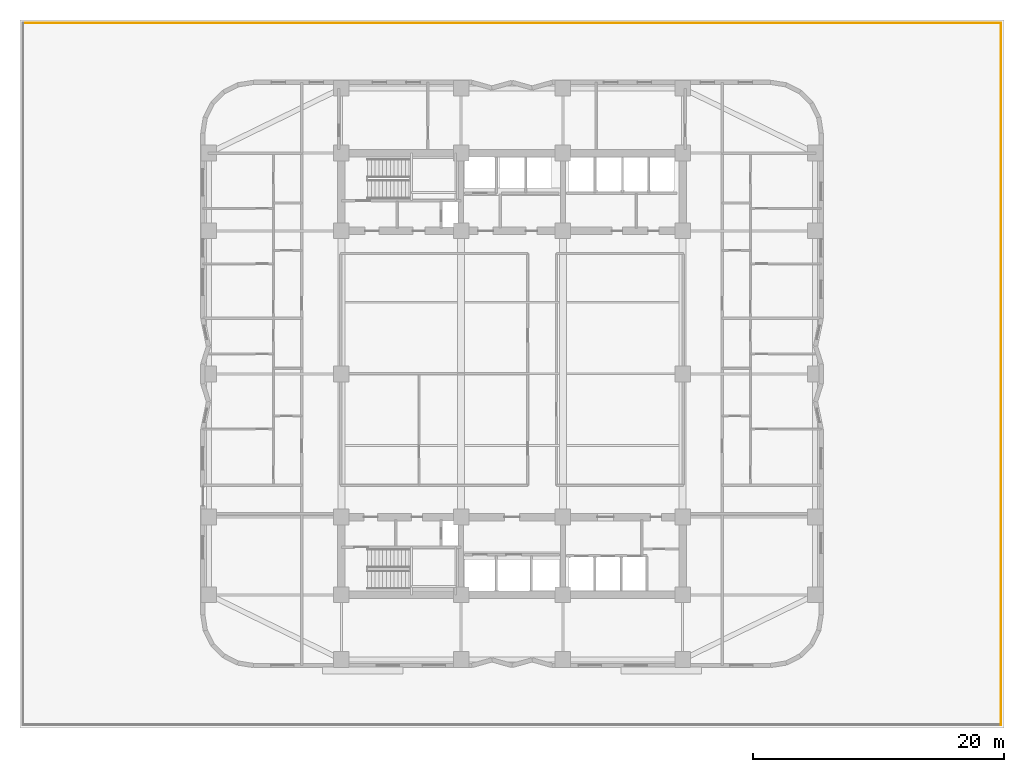
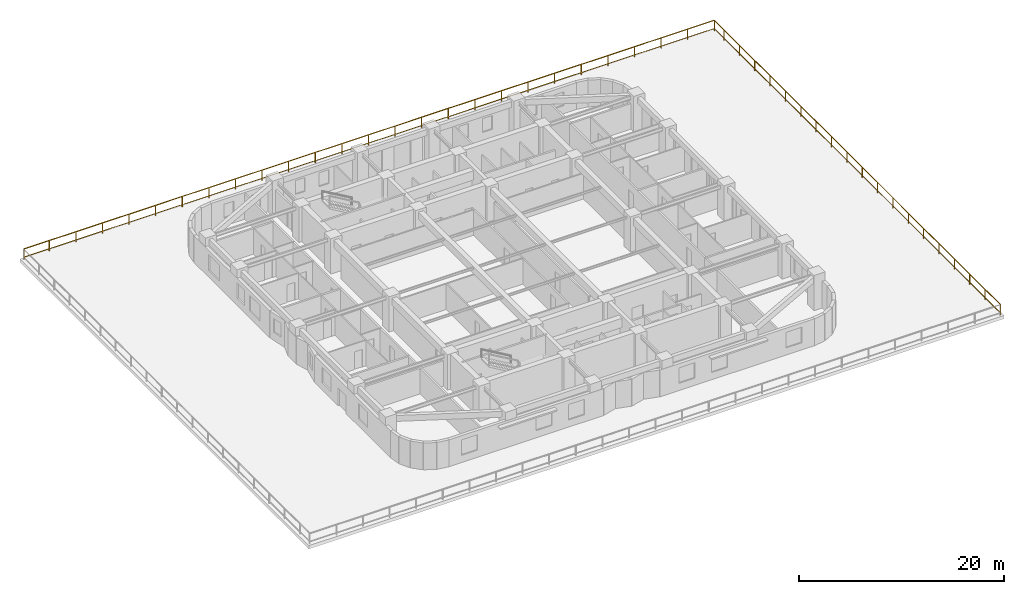
# One storey, part 11 of 11: 2 railings.
"""IFC4 building model written with IfcOpenShell, lengths in metres."""

from ifc_helpers import new_model, si_unit, direction, frame, origin, origin_2d, place, context, subcontext, project, spatial, rectangle, extrude, material, type_object, element, save


model = new_model("IFC4")

# Units and contexts
model_context = context("Model", 3, precision=1e-05, world=origin(), true_north=direction((0.0, 1.0)))
body_context = subcontext(model_context, "Body", "Model", "MODEL_VIEW")
ifc_project = project(units=[si_unit("LENGTHUNIT", "METRE"), si_unit("AREAUNIT", "SQUARE_METRE"), si_unit("VOLUMEUNIT", "CUBIC_METRE"), si_unit("PLANEANGLEUNIT", "RADIAN"), si_unit("MASSUNIT", "GRAM", prefix="KILO")], contexts=[model_context])

# Site, building, storey
site_placement = place(None, origin())
site = spatial("IfcSite", under=ifc_project, at=site_placement, CompositionType="ELEMENT")
building_placement = place(site_placement, origin())
building = spatial("IfcBuilding", under=site, at=building_placement, Name="Svetorya Sky Lyceum", CompositionType="ELEMENT")
storey_placement = place(building_placement, frame((0.0, 0.0, 24.60009765625)))
storey = spatial("IfcBuildingStorey", under=building, at=storey_placement, Name="L05", CompositionType="ELEMENT", Elevation=24.60009765625)

# Railings
ifc_material = material(Name="Bronze-anodized aluminium terrace guard", Category="aluminium")
railing_type = type_object("IfcRailingType", Name="RL-TER-1250", PredefinedType="GUARDRAIL", material=ifc_material)
railing_1_placement = place(storey_placement, frame((78.14990234375, 0.25, 0.0)))
element("IfcRailing", 1, at=railing_1_placement, inside=storey, type_object=railing_type, Name="L05 Setback Terrace Guard Quadrant 2", PredefinedType="GUARDRAIL", context=body_context, shape_type="SweptSolid", body=[
    extrude(rectangle(XDim=0.048095703125, YDim=0.048095703125, at=origin_2d()), frame((0.0, 0.0, 1.22607421875), z_axis=(0.0, 1.0, 0.0), x_axis=(-1.0, 0.0, 0.0)), (0.0, 0.0, 1.0), 55.840087890625),
    extrude(rectangle(XDim=0.02392578125, YDim=0.02392578125, at=origin_2d()), frame((0.0, 0.0, 0.25), z_axis=(0.0, 1.0, 0.0), x_axis=(-1.0, 0.0, 0.0)), (0.0, 0.0, 1.0), 55.840087890625),
    extrude(rectangle(XDim=0.0419921875, YDim=0.0419921875, at=origin_2d()), origin(), (0.0, 0.0, 1.0), 1.201904296875),
    extrude(rectangle(XDim=0.0419921875, YDim=0.0419921875, at=origin_2d()), frame((0.0, 3.0, 0.0)), (0.0, 0.0, 1.0), 1.201904296875),
    extrude(rectangle(XDim=0.0419921875, YDim=0.0419921875, at=origin_2d()), frame((0.0, 6.0, 0.0)), (0.0, 0.0, 1.0), 1.201904296875),
    extrude(rectangle(XDim=0.0419921875, YDim=0.0419921875, at=origin_2d()), frame((0.0, 9.0, 0.0)), (0.0, 0.0, 1.0), 1.201904296875),
    extrude(rectangle(XDim=0.0419921875, YDim=0.0419921875, at=origin_2d()), frame((0.0, 12.0, 0.0)), (0.0, 0.0, 1.0), 1.201904296875),
    extrude(rectangle(XDim=0.0419921875, YDim=0.0419921875, at=origin_2d()), frame((0.0, 15.0, 0.0)), (0.0, 0.0, 1.0), 1.201904296875),
    extrude(rectangle(XDim=0.0419921875, YDim=0.0419921875, at=origin_2d()), frame((0.0, 18.0, 0.0)), (0.0, 0.0, 1.0), 1.201904296875),
    extrude(rectangle(XDim=0.0419921875, YDim=0.0419921875, at=origin_2d()), frame((0.0, 21.0, 0.0)), (0.0, 0.0, 1.0), 1.201904296875),
    extrude(rectangle(XDim=0.0419921875, YDim=0.0419921875, at=origin_2d()), frame((0.0, 24.0, 0.0)), (0.0, 0.0, 1.0), 1.201904296875),
    extrude(rectangle(XDim=0.0419921875, YDim=0.0419921875, at=origin_2d()), frame((0.0, 27.0, 0.0)), (0.0, 0.0, 1.0), 1.201904296875),
    extrude(rectangle(XDim=0.0419921875, YDim=0.0419921875, at=origin_2d()), frame((0.0, 30.0, 0.0)), (0.0, 0.0, 1.0), 1.201904296875),
    extrude(rectangle(XDim=0.0419921875, YDim=0.0419921875, at=origin_2d()), frame((0.0, 33.0, 0.0)), (0.0, 0.0, 1.0), 1.201904296875),
    extrude(rectangle(XDim=0.0419921875, YDim=0.0419921875, at=origin_2d()), frame((0.0, 36.0, 0.0)), (0.0, 0.0, 1.0), 1.201904296875),
    extrude(rectangle(XDim=0.0419921875, YDim=0.0419921875, at=origin_2d()), frame((0.0, 39.0, 0.0)), (0.0, 0.0, 1.0), 1.201904296875),
    extrude(rectangle(XDim=0.0419921875, YDim=0.0419921875, at=origin_2d()), frame((0.0, 42.0, 0.0)), (0.0, 0.0, 1.0), 1.201904296875),
    extrude(rectangle(XDim=0.0419921875, YDim=0.0419921875, at=origin_2d()), frame((0.0, 45.0, 0.0)), (0.0, 0.0, 1.0), 1.201904296875),
    extrude(rectangle(XDim=0.0419921875, YDim=0.0419921875, at=origin_2d()), frame((0.0, 48.0, 0.0)), (0.0, 0.0, 1.0), 1.201904296875),
    extrude(rectangle(XDim=0.0419921875, YDim=0.0419921875, at=origin_2d()), frame((0.0, 51.0, 0.0)), (0.0, 0.0, 1.0), 1.201904296875),
    extrude(rectangle(XDim=0.0419921875, YDim=0.0419921875, at=origin_2d()), frame((0.0, 54.0, 0.0)), (0.0, 0.0, 1.0), 1.201904296875),
    extrude(rectangle(XDim=0.0419921875, YDim=0.0419921875, at=origin_2d()), frame((0.0, 55.840087890625, 0.0)), (0.0, 0.0, 1.0), 1.201904296875),
])
railing_2_placement = place(storey_placement, frame((78.14990234375, 56.14990234375, 0.0)))
element("IfcRailing", 2, at=railing_2_placement, inside=storey, type_object=railing_type, Name="L05 Setback Terrace Guard Quadrant 3", PredefinedType="GUARDRAIL", context=body_context, shape_type="SweptSolid", body=[
    extrude(rectangle(XDim=0.048095703125, YDim=0.048095703125, at=origin_2d()), frame((0.0, 0.0, 1.22607421875), z_axis=(-1.0, 0.0, 0.0), x_axis=(0.0, -1.0, 0.0)), (0.0, 0.0, 1.0), 77.83984375),
    extrude(rectangle(XDim=0.02392578125, YDim=0.02392578125, at=origin_2d()), frame((0.0, 0.0, 0.25), z_axis=(-1.0, 0.0, 0.0), x_axis=(0.0, -1.0, 0.0)), (0.0, 0.0, 1.0), 77.83984375),
    extrude(rectangle(XDim=0.0419921875, YDim=0.0419921875, at=origin_2d()), origin(), (0.0, 0.0, 1.0), 1.201904296875),
    extrude(rectangle(XDim=0.0419921875, YDim=0.0419921875, at=origin_2d()), frame((-3.0, 0.0, 0.0)), (0.0, 0.0, 1.0), 1.201904296875),
    extrude(rectangle(XDim=0.0419921875, YDim=0.0419921875, at=origin_2d()), frame((-6.0, 0.0, 0.0)), (0.0, 0.0, 1.0), 1.201904296875),
    extrude(rectangle(XDim=0.0419921875, YDim=0.0419921875, at=origin_2d()), frame((-9.0, 0.0, 0.0)), (0.0, 0.0, 1.0), 1.201904296875),
    extrude(rectangle(XDim=0.0419921875, YDim=0.0419921875, at=origin_2d()), frame((-12.0, 0.0, 0.0)), (0.0, 0.0, 1.0), 1.201904296875),
    extrude(rectangle(XDim=0.0419921875, YDim=0.0419921875, at=origin_2d()), frame((-15.0, 0.0, 0.0)), (0.0, 0.0, 1.0), 1.201904296875),
    extrude(rectangle(XDim=0.0419921875, YDim=0.0419921875, at=origin_2d()), frame((-18.0, 0.0, 0.0)), (0.0, 0.0, 1.0), 1.201904296875),
    extrude(rectangle(XDim=0.0419921875, YDim=0.0419921875, at=origin_2d()), frame((-21.0, 0.0, 0.0)), (0.0, 0.0, 1.0), 1.201904296875),
    extrude(rectangle(XDim=0.0419921875, YDim=0.0419921875, at=origin_2d()), frame((-24.0, 0.0, 0.0)), (0.0, 0.0, 1.0), 1.201904296875),
    extrude(rectangle(XDim=0.0419921875, YDim=0.0419921875, at=origin_2d()), frame((-27.0, 0.0, 0.0)), (0.0, 0.0, 1.0), 1.201904296875),
    extrude(rectangle(XDim=0.0419921875, YDim=0.0419921875, at=origin_2d()), frame((-30.0, 0.0, 0.0)), (0.0, 0.0, 1.0), 1.201904296875),
    extrude(rectangle(XDim=0.0419921875, YDim=0.0419921875, at=origin_2d()), frame((-33.0, 0.0, 0.0)), (0.0, 0.0, 1.0), 1.201904296875),
    extrude(rectangle(XDim=0.0419921875, YDim=0.0419921875, at=origin_2d()), frame((-36.0, 0.0, 0.0)), (0.0, 0.0, 1.0), 1.201904296875),
    extrude(rectangle(XDim=0.0419921875, YDim=0.0419921875, at=origin_2d()), frame((-39.0, 0.0, 0.0)), (0.0, 0.0, 1.0), 1.201904296875),
    extrude(rectangle(XDim=0.0419921875, YDim=0.0419921875, at=origin_2d()), frame((-42.0, 0.0, 0.0)), (0.0, 0.0, 1.0), 1.201904296875),
    extrude(rectangle(XDim=0.0419921875, YDim=0.0419921875, at=origin_2d()), frame((-45.0, 0.0, 0.0)), (0.0, 0.0, 1.0), 1.201904296875),
    extrude(rectangle(XDim=0.0419921875, YDim=0.0419921875, at=origin_2d()), frame((-48.0, 0.0, 0.0)), (0.0, 0.0, 1.0), 1.201904296875),
    extrude(rectangle(XDim=0.0419921875, YDim=0.0419921875, at=origin_2d()), frame((-51.0, 0.0, 0.0)), (0.0, 0.0, 1.0), 1.201904296875),
    extrude(rectangle(XDim=0.0419921875, YDim=0.0419921875, at=origin_2d()), frame((-54.0, 0.0, 0.0)), (0.0, 0.0, 1.0), 1.201904296875),
    extrude(rectangle(XDim=0.0419921875, YDim=0.0419921875, at=origin_2d()), frame((-57.0, 0.0, 0.0)), (0.0, 0.0, 1.0), 1.201904296875),
    extrude(rectangle(XDim=0.0419921875, YDim=0.0419921875, at=origin_2d()), frame((-60.0, 0.0, 0.0)), (0.0, 0.0, 1.0), 1.201904296875),
    extrude(rectangle(XDim=0.0419921875, YDim=0.0419921875, at=origin_2d()), frame((-63.0, 0.0, 0.0)), (0.0, 0.0, 1.0), 1.201904296875),
    extrude(rectangle(XDim=0.0419921875, YDim=0.0419921875, at=origin_2d()), frame((-66.0, 0.0, 0.0)), (0.0, 0.0, 1.0), 1.201904296875),
    extrude(rectangle(XDim=0.0419921875, YDim=0.0419921875, at=origin_2d()), frame((-69.0, 0.0, 0.0)), (0.0, 0.0, 1.0), 1.201904296875),
    extrude(rectangle(XDim=0.0419921875, YDim=0.0419921875, at=origin_2d()), frame((-72.0, 0.0, 0.0)), (0.0, 0.0, 1.0), 1.201904296875),
    extrude(rectangle(XDim=0.0419921875, YDim=0.0419921875, at=origin_2d()), frame((-75.0, 0.0, 0.0)), (0.0, 0.0, 1.0), 1.201904296875),
    extrude(rectangle(XDim=0.0419921875, YDim=0.0419921875, at=origin_2d()), frame((-77.83984375, 0.0, 0.0)), (0.0, 0.0, 1.0), 1.201904296875),
])

save(model, "model.ifc")
